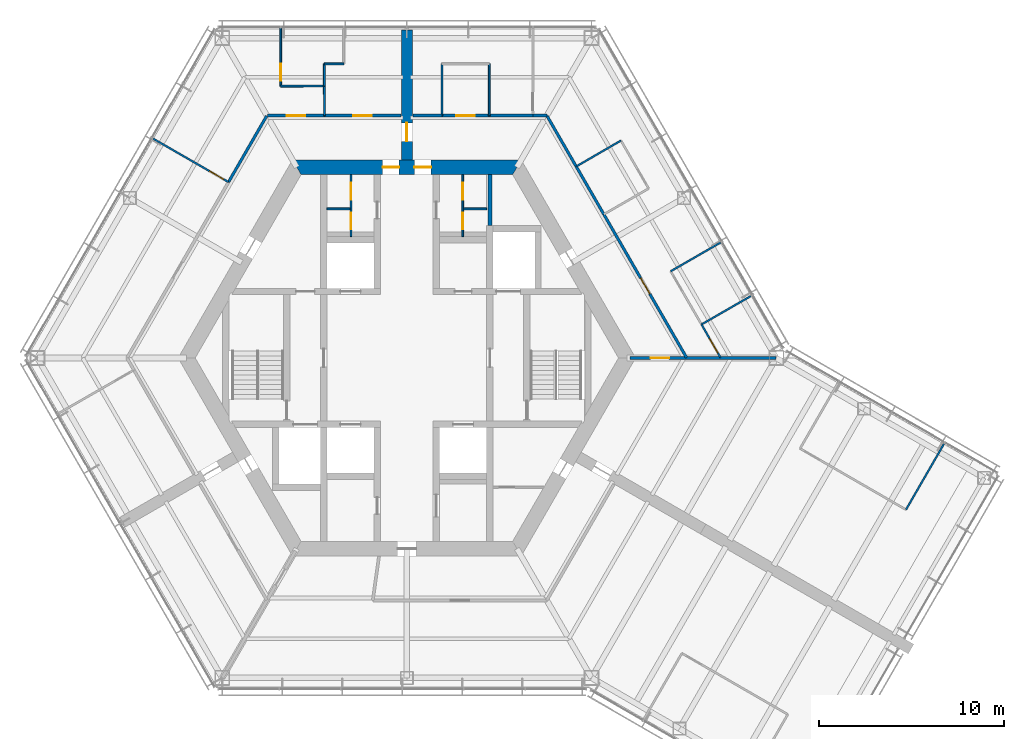
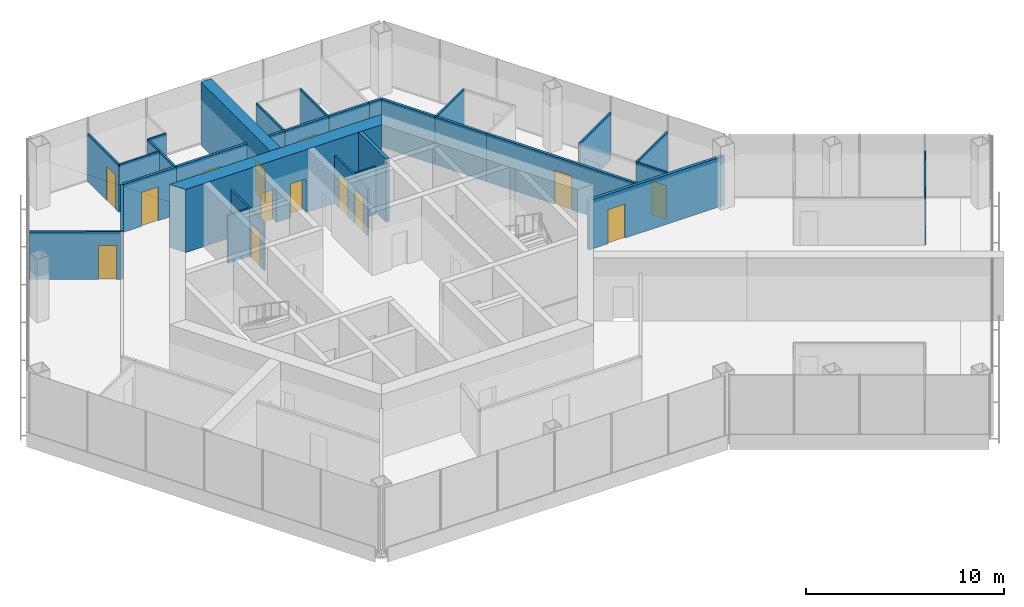
# One storey, part 12 of 15: 31 walls, 15 doors, 15 openings.
"""IFC4 building model written with IfcOpenShell, lengths in metres."""

from ifc_helpers import new_model, si_unit, direction, frame, frame_2d, origin, place, context, subcontext, project, spatial, polyline, rectangle, outline, extrude, material, layer, layer_set, type_object, element, fill, save


model = new_model("IFC4")

# Units and contexts
model_context = context("Model", 3, precision=1e-05, world=origin(), true_north=direction((0.0, 1.0)))
body_context = subcontext(model_context, "Body", "Model", "MODEL_VIEW")
ifc_project = project(units=[si_unit("LENGTHUNIT", "METRE"), si_unit("AREAUNIT", "SQUARE_METRE"), si_unit("VOLUMEUNIT", "CUBIC_METRE"), si_unit("PLANEANGLEUNIT", "RADIAN"), si_unit("MASSUNIT", "GRAM", prefix="KILO")], contexts=[model_context])

# Site, building, storey
site_placement = place(None, origin())
site = spatial("IfcSite", under=ifc_project, at=site_placement, CompositionType="ELEMENT")
building_placement = place(site_placement, origin())
building = spatial("IfcBuilding", under=site, at=building_placement, Name="Kasaneha Research Tower", CompositionType="ELEMENT")
storey_placement = place(building_placement, frame((0.0, 0.0, 220.60009765625)))
storey = spatial("IfcBuildingStorey", under=building, at=storey_placement, Name="L55", CompositionType="ELEMENT", Elevation=220.60009765625)

# Wall, openings, doors
ifc_material_1 = material(Name="Concrete Fc60", Category="concrete")
ifc_layer_1 = layer(ifc_material_1, 0.800048828125)
ifc_layer_set_1 = layer_set([ifc_layer_1], Name="Core wall 800 Fc60")
wall_type_1 = type_object("IfcWallType", Name="Core wall 800 Fc60", PredefinedType="SHEAR", material=ifc_layer_set_1)
wall_1_placement = place(storey_placement, frame((5.961181640625, 10.324951171875, 0.0), z_axis=(0.0, 0.0, 1.0), x_axis=(-1.0, 0.0, 0.0)))
wall_1 = element("IfcWall", 1, at=wall_1_placement, inside=storey, type_object=wall_type_1, Name="Core wall 090 L55", PredefinedType="SHEAR", context=body_context, shape_type="SweptSolid", body=[
    extrude(outline(polyline([(-0.23095703125, -0.39990234375), (4.648681640625, -0.39990234375), (5.548583984375, -0.39990234375), (6.37353515625, -0.39990234375), (7.2734375, -0.39990234375), (12.1533203125, -0.39990234375), (11.69140625, 0.39990234375), (7.2734375, 0.39990234375), (6.37353515625, 0.39990234375), (5.548583984375, 0.39990234375), (4.648681640625, 0.39990234375), (0.23095703125, 0.39990234375), (-0.23095703125, -0.39990234375)])), origin(), (0.0, 0.0, 1.0), 3.89990234375),
])
opening_1_placement = place(wall_1_placement, frame((6.37353515625, 0.0, 0.0)))
opening_1 = element("IfcOpeningElement", 2, at=opening_1_placement, cuts=wall_1, Name="Opening L55-D01", PredefinedType="OPENING", context=body_context, shape_type="SweptSolid", body=[
    extrude(rectangle(XDim=0.89990234375, YDim=2.10009765625, at=frame_2d((0.449951171875, 1.050048828125))), frame((0.0, 0.41015625, 0.0), z_axis=(0.0, -1.0, 0.0), x_axis=(1.0, 0.0, 0.0)), (0.0, 0.0, 1.0), 0.820068359375),
])
opening_2_placement = place(wall_1_placement, frame((4.648681640625, 0.0, 0.0)))
opening_2 = element("IfcOpeningElement", 3, at=opening_2_placement, cuts=wall_1, Name="Opening L55-D02", PredefinedType="OPENING", context=body_context, shape_type="SweptSolid", body=[
    extrude(rectangle(XDim=0.89990234375, YDim=2.10009765625, at=frame_2d((0.449951171875, 1.050048828125))), frame((0.0, 0.41015625, 0.0), z_axis=(0.0, -1.0, 0.0), x_axis=(1.0, 0.0, 0.0)), (0.0, 0.0, 1.0), 0.820068359375),
])
ifc_material_2 = material(Name="Steel", Category="steel")
door_type_1 = type_object("IfcDoorType", Name="Toilet door FD20 900x2100", OperationType="NOTDEFINED", PredefinedType="DOOR", material=ifc_material_2)
door_1_placement = place(opening_1_placement, origin())
door_1 = element("IfcDoor", 4, at=door_1_placement, inside=storey, type_object=door_type_1, Name="Core door north 1 L55-D01", OperationType="SINGLE_SWING_RIGHT", OverallHeight=2.10009765625, OverallWidth=0.89990234375, PredefinedType="DOOR", context=body_context, shape_type="SweptSolid", body=[
    extrude(rectangle(XDim=0.89990234375, YDim=2.10009765625, at=frame_2d((0.449951171875, 1.050048828125))), frame((0.0, 0.02490234375, 0.0), z_axis=(0.0, -1.0, 0.0), x_axis=(1.0, 0.0, 0.0)), (0.0, 0.0, 1.0), 0.050048828125),
])
fill(opening_1, door_1)
door_2_placement = place(opening_2_placement, origin())
door_2 = element("IfcDoor", 5, at=door_2_placement, inside=storey, type_object=door_type_1, Name="Core door north 2 L55-D02", OperationType="SINGLE_SWING_LEFT", OverallHeight=2.10009765625, OverallWidth=0.89990234375, PredefinedType="DOOR", context=body_context, shape_type="SweptSolid", body=[
    extrude(rectangle(XDim=0.89990234375, YDim=2.10009765625, at=frame_2d((0.449951171875, 1.050048828125))), frame((0.0, 0.02490234375, 0.0), z_axis=(0.0, -1.0, 0.0), x_axis=(1.0, 0.0, 0.0)), (0.0, 0.0, 1.0), 0.050048828125),
])
fill(opening_2, door_2)

ifc_material_3 = material(Name="Gypsum board on steel studs, one layer each side", Category="steel")
ifc_layer_2 = layer(ifc_material_3, 0.10009765625)
ifc_layer_set_2 = layer_set([ifc_layer_2], Name="Office partition 100")
wall_type_2 = type_object("IfcWallType", Name="Office partition 100", PredefinedType="PARTITIONING", material=ifc_layer_set_2)
wall_2_placement = place(storey_placement, frame((-3.02490234375, 6.574951171875, 0.0), z_axis=(0.0, 0.0, 1.0), x_axis=(0.0, 1.0, 0.0)))
wall_2 = element("IfcWall", 6, at=wall_2_placement, inside=storey, type_object=wall_type_2, Name="Office partition TBM1 L55", PredefinedType="PARTITIONING", context=body_context, shape_type="SweptSolid", body=[
    extrude(rectangle(XDim=3.35009765625, YDim=0.10009765625, at=frame_2d((1.675048828125, 0.0))), origin(), (0.0, 0.0, 1.0), 2.949951171875),
])
opening_3_placement = place(wall_2_placement, frame((2.0, 0.0, 0.0)))
opening_3 = element("IfcOpeningElement", 7, at=opening_3_placement, cuts=wall_2, Name="Opening L55-D21", PredefinedType="OPENING", context=body_context, shape_type="SweptSolid", body=[
    extrude(rectangle(XDim=0.89990234375, YDim=2.10009765625, at=frame_2d((0.449951171875, 1.050048828125))), frame((0.0, 0.06005859375, 0.0), z_axis=(0.0, -1.0, 0.0), x_axis=(1.0, 0.0, 0.0)), (0.0, 0.0, 1.0), 0.1201171875),
])
opening_4_placement = place(wall_2_placement, frame((0.39990234375, 0.0, 0.0)))
opening_4 = element("IfcOpeningElement", 8, at=opening_4_placement, cuts=wall_2, Name="Opening L55-D22", PredefinedType="OPENING", context=body_context, shape_type="SweptSolid", body=[
    extrude(rectangle(XDim=0.89990234375, YDim=2.10009765625, at=frame_2d((0.449951171875, 1.050048828125))), frame((0.0, 0.06005859375, 0.0), z_axis=(0.0, -1.0, 0.0), x_axis=(1.0, 0.0, 0.0)), (0.0, 0.0, 1.0), 0.1201171875),
])
ifc_material_4 = material(Name="Steel", Category="steel")
door_type_2 = type_object("IfcDoorType", Name="Toilet lobby door FD30 900x2100", OperationType="NOTDEFINED", PredefinedType="DOOR", material=ifc_material_4)
door_3_placement = place(opening_3_placement, origin())
door_3 = element("IfcDoor", 9, at=door_3_placement, inside=storey, type_object=door_type_2, Name="Men's WC door L55-D21", OperationType="SINGLE_SWING_RIGHT", OverallHeight=2.10009765625, OverallWidth=0.89990234375, PredefinedType="DOOR", context=body_context, shape_type="SweptSolid", body=[
    extrude(rectangle(XDim=0.89990234375, YDim=2.10009765625, at=frame_2d((0.449951171875, 1.050048828125))), frame((0.0, 0.02490234375, 0.0), z_axis=(0.0, -1.0, 0.0), x_axis=(1.0, 0.0, 0.0)), (0.0, 0.0, 1.0), 0.050048828125),
])
fill(opening_3, door_3)
door_4_placement = place(opening_4_placement, origin())
door_4 = element("IfcDoor", 10, at=door_4_placement, inside=storey, type_object=door_type_2, Name="Cleaner's store door L55-D22", OperationType="SINGLE_SWING_RIGHT", OverallHeight=2.10009765625, OverallWidth=0.89990234375, PredefinedType="DOOR", context=body_context, shape_type="SweptSolid", body=[
    extrude(rectangle(XDim=0.89990234375, YDim=2.10009765625, at=frame_2d((0.449951171875, 1.050048828125))), frame((0.0, 0.02490234375, 0.0), z_axis=(0.0, -1.0, 0.0), x_axis=(1.0, 0.0, 0.0)), (0.0, 0.0, 1.0), 0.050048828125),
])
fill(opening_4, door_4)

# Wall
wall_3_placement = place(storey_placement, frame((-3.074951171875, 8.074951171875, 0.0), z_axis=(0.0, 0.0, 1.0), x_axis=(-1.0, 0.0, 0.0)))
element("IfcWall", 11, at=wall_3_placement, inside=storey, type_object=wall_type_2, Name="Office partition TBM2 L55", PredefinedType="PARTITIONING", context=body_context, shape_type="SweptSolid", body=[
    extrude(rectangle(XDim=1.25, YDim=0.10009765625, at=frame_2d((0.625, 0.0))), origin(), (0.0, 0.0, 1.0), 2.949951171875),
])

# Wall, openings, doors
wall_4_placement = place(storey_placement, frame((3.02490234375, 6.574951171875, 0.0), z_axis=(0.0, 0.0, 1.0), x_axis=(0.0, 1.0, 0.0)))
wall_4 = element("IfcWall", 12, at=wall_4_placement, inside=storey, type_object=wall_type_2, Name="Office partition TBF1 L55", PredefinedType="PARTITIONING", context=body_context, shape_type="SweptSolid", body=[
    extrude(rectangle(XDim=3.35009765625, YDim=0.10009765625, at=frame_2d((1.675048828125, 0.0))), origin(), (0.0, 0.0, 1.0), 2.949951171875),
])
opening_5_placement = place(wall_4_placement, frame((2.0, 0.0, 0.0)))
opening_5 = element("IfcOpeningElement", 13, at=opening_5_placement, cuts=wall_4, Name="Opening L55-D23", PredefinedType="OPENING", context=body_context, shape_type="SweptSolid", body=[
    extrude(rectangle(XDim=0.89990234375, YDim=2.10009765625, at=frame_2d((0.449951171875, 1.050048828125))), frame((0.0, 0.06005859375, 0.0), z_axis=(0.0, -1.0, 0.0), x_axis=(1.0, 0.0, 0.0)), (0.0, 0.0, 1.0), 0.1201171875),
])
opening_6_placement = place(wall_4_placement, frame((0.39990234375, 0.0, 0.0)))
opening_6 = element("IfcOpeningElement", 14, at=opening_6_placement, cuts=wall_4, Name="Opening L55-D24", PredefinedType="OPENING", context=body_context, shape_type="SweptSolid", body=[
    extrude(rectangle(XDim=0.89990234375, YDim=2.10009765625, at=frame_2d((0.449951171875, 1.050048828125))), frame((0.0, 0.06005859375, 0.0), z_axis=(0.0, -1.0, 0.0), x_axis=(1.0, 0.0, 0.0)), (0.0, 0.0, 1.0), 0.1201171875),
])
door_5_placement = place(opening_5_placement, origin())
door_5 = element("IfcDoor", 15, at=door_5_placement, inside=storey, type_object=door_type_2, Name="Women's WC door L55-D23", OperationType="SINGLE_SWING_RIGHT", OverallHeight=2.10009765625, OverallWidth=0.89990234375, PredefinedType="DOOR", context=body_context, shape_type="SweptSolid", body=[
    extrude(rectangle(XDim=0.89990234375, YDim=2.10009765625, at=frame_2d((0.449951171875, 1.050048828125))), frame((0.0, 0.02490234375, 0.0), z_axis=(0.0, -1.0, 0.0), x_axis=(1.0, 0.0, 0.0)), (0.0, 0.0, 1.0), 0.050048828125),
])
fill(opening_5, door_5)
door_6_placement = place(opening_6_placement, origin())
door_6 = element("IfcDoor", 16, at=door_6_placement, inside=storey, type_object=door_type_2, Name="Parents' room door L55-D24", OperationType="SINGLE_SWING_RIGHT", OverallHeight=2.10009765625, OverallWidth=0.89990234375, PredefinedType="DOOR", context=body_context, shape_type="SweptSolid", body=[
    extrude(rectangle(XDim=0.89990234375, YDim=2.10009765625, at=frame_2d((0.449951171875, 1.050048828125))), frame((0.0, 0.02490234375, 0.0), z_axis=(0.0, -1.0, 0.0), x_axis=(1.0, 0.0, 0.0)), (0.0, 0.0, 1.0), 0.050048828125),
])
fill(opening_6, door_6)

# Walls
wall_5_placement = place(storey_placement, frame((3.074951171875, 8.074951171875, 0.0), z_axis=(0.0, 0.0, 1.0), x_axis=(1.0, 0.0, 0.0)))
element("IfcWall", 17, at=wall_5_placement, inside=storey, type_object=wall_type_2, Name="Office partition TBF2 L55", PredefinedType="PARTITIONING", context=body_context, shape_type="SweptSolid", body=[
    extrude(rectangle(XDim=1.25, YDim=0.10009765625, at=frame_2d((0.625, 0.0))), origin(), (0.0, 0.0, 1.0), 2.949951171875),
])
for number, where, z_axis, x_axis, name in (
    (18, (1.905029296875, 13.125, 0.0), (0.0, 0.0, 1.0), (-0.001831019688, 0.999998323682, 0.0), "Office partition FAE09 L55"),
    (19, (4.465087890625, 15.925048828125, 0.0), (0.0, 0.0, 1.0), (-0.001831019688, -0.999998323682, 0.0), "Office partition FAE10 L55"),
    (20, (9.168701171875, 10.369140625, 0.0), (0.0, 0.0, 1.0), (0.865255114713, 0.501331812737, 0.0), "Office partition FAE11 L55"),
):
    element("IfcWall", number, at=place(storey_placement, frame(where, z_axis=z_axis, x_axis=x_axis)), inside=storey, type_object=wall_type_2, Name=name, PredefinedType="PARTITIONING", context=body_context, shape_type="SweptSolid", body=[
        extrude(rectangle(XDim=2.800048828125, YDim=0.10009765625, at=frame_2d((1.39990234375, 0.0))), origin(), (0.0, 0.0, 1.0), 2.949951171875),
    ])
wall_6_placement = place(storey_placement, frame((18.619873046875, 3.3505859375, 0.0), z_axis=(0.0, 0.0, 1.0), x_axis=(-0.866810383216, -0.498637904244, 0.0)))
element("IfcWall", 21, at=wall_6_placement, inside=storey, type_object=wall_type_2, Name="Office partition FAE15 L55", PredefinedType="PARTITIONING", context=body_context, shape_type="SweptSolid", body=[
    extrude(rectangle(XDim=3.080078125, YDim=0.10009765625, at=frame_2d((1.5400390625, 0.0))), origin(), (0.0, 0.0, 1.0), 2.949951171875),
])
wall_7_placement = place(storey_placement, frame((14.287109375, 4.6953125, 0.0), z_axis=(0.0, 0.0, 1.0), x_axis=(0.866036558865, 0.499980678337, 0.0)))
element("IfcWall", 22, at=wall_7_placement, inside=storey, type_object=wall_type_2, Name="Office partition FAE16 L55", PredefinedType="PARTITIONING", context=body_context, shape_type="SweptSolid", body=[
    extrude(rectangle(XDim=3.10986328125, YDim=0.10009765625, at=frame_2d((1.554931640625, 0.0))), origin(), (0.0, 0.0, 1.0), 2.949951171875),
])

# Wall, opening, door
wall_8_placement = place(storey_placement, frame((16.986083984375, 0.02001953125, 0.0), z_axis=(0.0, 0.0, 1.0), x_axis=(-0.498096123952, 0.867121820337, 0.0)))
wall_8 = element("IfcWall", 23, at=wall_8_placement, inside=storey, type_object=wall_type_2, Name="Office partition FAE18 L55", PredefinedType="PARTITIONING", context=body_context, shape_type="SweptSolid", body=[
    extrude(rectangle(XDim=2.0673828125, YDim=0.10009765625, at=frame_2d((1.03369140625, 0.0))), origin(), (0.0, 0.0, 1.0), 2.949951171875),
])
opening_7_placement = place(wall_8_placement, frame((0.300048828125, 0.0, 0.0)))
opening_7 = element("IfcOpeningElement", 24, at=opening_7_placement, cuts=wall_8, Name="Opening L55-D33", PredefinedType="OPENING", context=body_context, shape_type="SweptSolid", body=[
    extrude(rectangle(XDim=0.89990234375, YDim=2.10009765625, at=frame_2d((0.449951171875, 1.050048828125))), frame((0.0, 0.06005859375, 0.0), z_axis=(0.0, -1.0, 0.0), x_axis=(1.0, 0.0, 0.0)), (0.0, 0.0, 1.0), 0.1201171875),
])
ifc_material_5 = material(Name="Timber veneer", Category="wood")
door_type_3 = type_object("IfcDoorType", Name="Office door 900x2100", OperationType="SINGLE_SWING_LEFT", PredefinedType="DOOR", material=ifc_material_5)
door_7_placement = place(opening_7_placement, origin())
door_7 = element("IfcDoor", 25, at=door_7_placement, inside=storey, type_object=door_type_3, Name="Phone room door L55-D33", OperationType="SINGLE_SWING_LEFT", OverallHeight=2.10009765625, OverallWidth=0.89990234375, PredefinedType="DOOR", context=body_context, shape_type="SweptSolid", body=[
    extrude(rectangle(XDim=0.89990234375, YDim=2.10009765625, at=frame_2d((0.449951171875, 1.050048828125))), frame((0.0, 0.02490234375, 0.0), z_axis=(0.0, -1.0, 0.0), x_axis=(1.0, 0.0, 0.0)), (0.0, 0.0, 1.0), 0.050048828125),
])
fill(opening_7, door_7)

# Walls
wall_9_placement = place(storey_placement, frame((-4.465087890625, 14.715576171875, 0.0), z_axis=(0.0, 0.0, 1.0), x_axis=(0.0, 1.0, 0.0)))
element("IfcWall", 26, at=wall_9_placement, inside=storey, type_object=wall_type_2, Name="Office partition FAW03 L55", PredefinedType="PARTITIONING", context=body_context, shape_type="SweptSolid", body=[
    extrude(rectangle(XDim=1.20947265625, YDim=0.10009765625, at=frame_2d((0.604736328125, 0.0))), origin(), (0.0, 0.0, 1.0), 2.949951171875),
])
wall_10_placement = place(storey_placement, frame((-4.465087890625, 15.925048828125, 0.0), z_axis=(0.0, 0.0, 1.0), x_axis=(1.0, 0.0, 0.0)))
element("IfcWall", 27, at=wall_10_placement, inside=storey, type_object=wall_type_2, Name="Office partition FAW04 L55", PredefinedType="PARTITIONING", context=body_context, shape_type="SweptSolid", body=[
    extrude(rectangle(XDim=1.050048828125, YDim=0.10009765625, at=frame_2d((0.52490234375, 0.0))), origin(), (0.0, 0.0, 1.0), 2.949951171875),
])
wall_11_placement = place(storey_placement, frame((-4.46044921875, 13.125, 0.0), z_axis=(0.0, 0.0, 1.0), x_axis=(-0.0028989808, 0.999995797946, 0.0)))
element("IfcWall", 28, at=wall_11_placement, inside=storey, type_object=wall_type_2, Name="Office partition FAW06 L55", PredefinedType="PARTITIONING", context=body_context, shape_type="SweptSolid", body=[
    extrude(rectangle(XDim=1.60009765625, YDim=0.10009765625, at=frame_2d((0.800048828125, 0.0))), origin(), (0.0, 0.0, 1.0), 2.949951171875),
])

# Wall, opening, door
wall_12_placement = place(storey_placement, frame((-6.830810546875, 14.720458984375, 0.0), z_axis=(0.0, 0.0, 1.0), x_axis=(0.0, 1.0, 0.0)))
wall_12 = element("IfcWall", 29, at=wall_12_placement, inside=storey, type_object=wall_type_2, Name="Office partition FAW07 L55", PredefinedType="PARTITIONING", context=body_context, shape_type="SweptSolid", body=[
    extrude(rectangle(XDim=3.135009765625, YDim=0.10009765625, at=frame_2d((1.5673828125, 0.0))), origin(), (0.0, 0.0, 1.0), 2.949951171875),
])
opening_8_placement = place(wall_12_placement, frame((0.300048828125, 0.0, 0.0)))
opening_8 = element("IfcOpeningElement", 30, at=opening_8_placement, cuts=wall_12, Name="Opening L55-D36", PredefinedType="OPENING", context=body_context, shape_type="SweptSolid", body=[
    extrude(rectangle(XDim=0.89990234375, YDim=2.10009765625, at=frame_2d((0.449951171875, 1.050048828125))), frame((0.0, 0.06005859375, 0.0), z_axis=(0.0, -1.0, 0.0), x_axis=(1.0, 0.0, 0.0)), (0.0, 0.0, 1.0), 0.1201171875),
])
door_8_placement = place(opening_8_placement, origin())
door_8 = element("IfcDoor", 31, at=door_8_placement, inside=storey, type_object=door_type_3, Name="Project room door L55-D36", OperationType="SINGLE_SWING_LEFT", OverallHeight=2.10009765625, OverallWidth=0.89990234375, PredefinedType="DOOR", context=body_context, shape_type="SweptSolid", body=[
    extrude(rectangle(XDim=0.89990234375, YDim=2.10009765625, at=frame_2d((0.449951171875, 1.050048828125))), frame((0.0, 0.02490234375, 0.0), z_axis=(0.0, -1.0, 0.0), x_axis=(1.0, 0.0, 0.0)), (0.0, 0.0, 1.0), 0.050048828125),
])
fill(opening_8, door_8)

# Wall
wall_13_placement = place(storey_placement, frame((-4.465087890625, 14.72509765625, 0.0), z_axis=(0.0, 0.0, 1.0), x_axis=(-0.999998077668, -0.001960780544, 0.0)))
element("IfcWall", 32, at=wall_13_placement, inside=storey, type_object=wall_type_2, Name="Office partition FAW08 L55", PredefinedType="PARTITIONING", context=body_context, shape_type="SweptSolid", body=[
    extrude(rectangle(XDim=2.36572265625, YDim=0.10009765625, at=frame_2d((1.182861328125, 0.0))), origin(), (0.0, 0.0, 1.0), 2.949951171875),
])

# Wall, opening, door
wall_14_placement = place(storey_placement, frame((-9.656494140625, 9.5244140625, 0.0), z_axis=(0.0, 0.0, 1.0), x_axis=(-0.866526579402, 0.499130931911, 0.0)))
wall_14 = element("IfcWall", 33, at=wall_14_placement, inside=storey, type_object=wall_type_2, Name="Office partition FBN05 L55", PredefinedType="PARTITIONING", context=body_context, shape_type="SweptSolid", body=[
    extrude(rectangle(XDim=4.705322265625, YDim=0.10009765625, at=frame_2d((2.3525390625, 0.0))), origin(), (0.0, 0.0, 1.0), 2.949951171875),
])
opening_9_placement = place(wall_14_placement, frame((0.300048828125, 0.0, 0.0)))
opening_9 = element("IfcOpeningElement", 34, at=opening_9_placement, cuts=wall_14, Name="Opening L55-D38", PredefinedType="OPENING", context=body_context, shape_type="SweptSolid", body=[
    extrude(rectangle(XDim=0.89990234375, YDim=2.10009765625, at=frame_2d((0.449951171875, 1.050048828125))), frame((0.0, 0.06005859375, 0.0), z_axis=(0.0, -1.0, 0.0), x_axis=(1.0, 0.0, 0.0)), (0.0, 0.0, 1.0), 0.1201171875),
])
door_9_placement = place(opening_9_placement, origin())
door_9 = element("IfcDoor", 35, at=door_9_placement, inside=storey, type_object=door_type_3, Name="Manager's office door L55-D38", OperationType="SINGLE_SWING_LEFT", OverallHeight=2.10009765625, OverallWidth=0.89990234375, PredefinedType="DOOR", context=body_context, shape_type="SweptSolid", body=[
    extrude(rectangle(XDim=0.89990234375, YDim=2.10009765625, at=frame_2d((0.449951171875, 1.050048828125))), frame((0.0, 0.02490234375, 0.0), z_axis=(0.0, -1.0, 0.0), x_axis=(1.0, 0.0, 0.0)), (0.0, 0.0, 1.0), 0.050048828125),
])
fill(opening_9, door_9)

# Walls
wall_15_placement = place(storey_placement, frame((29.080078125, -4.6533203125, 0.0), z_axis=(0.0, 0.0, 1.0), x_axis=(-0.500010383074, -0.866019409031, 0.0)))
element("IfcWall", 36, at=wall_15_placement, inside=storey, type_object=wall_type_2, Name="Office partition FCE03 L55", PredefinedType="PARTITIONING", context=body_context, shape_type="SweptSolid", body=[
    extrude(rectangle(XDim=4.1103515625, YDim=0.10009765625, at=frame_2d((2.05517578125, 0.0))), origin(), (0.0, 0.0, 1.0), 2.949951171875),
])
ifc_material_6 = material(Name="Concrete block", Category="concrete")
ifc_layer_3 = layer(ifc_material_6, 0.199951171875)
ifc_layer_set_3 = layer_set([ifc_layer_3], Name="Riser enclosure wall 200")
wall_type_3 = type_object("IfcWallType", Name="Riser enclosure wall 200", PredefinedType="STANDARD", material=ifc_layer_set_3)
wall_16_placement = place(storey_placement, frame((4.5, 7.175048828125, 0.0), z_axis=(0.0, 0.0, 1.0), x_axis=(0.0, 1.0, 0.0)))
element("IfcWall", 37, at=wall_16_placement, inside=storey, type_object=wall_type_3, Name="Riser enclosure wall L55", PredefinedType="STANDARD", context=body_context, shape_type="SweptSolid", body=[
    extrude(rectangle(XDim=2.75, YDim=0.199951171875, at=frame_2d((1.375, 0.0))), origin(), (0.0, 0.0, 1.0), 3.89990234375),
])

# Wall, opening, door
ifc_material_7 = material(Name="Concrete Fc60", Category="concrete")
ifc_layer_4 = layer(ifc_material_7, 0.60009765625)
ifc_layer_set_4 = layer_set([ifc_layer_4], Name="Spine wall 600 Fc60")
wall_type_4 = type_object("IfcWallType", Name="Spine wall 600 Fc60", PredefinedType="SHEAR", material=ifc_layer_set_4)
wall_17_placement = place(storey_placement, frame((0.0, 10.72509765625, 0.0), z_axis=(0.0, 0.0, 1.0), x_axis=(0.0, 1.0, 0.0)))
wall_17 = element("IfcWall", 38, at=wall_17_placement, inside=storey, type_object=wall_type_4, Name="Spine wall A L55", PredefinedType="SHEAR", context=body_context, shape_type="SweptSolid", body=[
    extrude(rectangle(XDim=7.04541015625, YDim=0.60009765625, at=frame_2d((3.522705078125, 0.0))), origin(), (0.0, 0.0, 1.0), 3.89990234375),
])
opening_10_placement = place(wall_17_placement, frame((1.0, 0.0, 0.0)))
opening_10 = element("IfcOpeningElement", 39, at=opening_10_placement, cuts=wall_17, Name="Opening L55-D18", PredefinedType="OPENING", context=body_context, shape_type="SweptSolid", body=[
    extrude(rectangle(XDim=1.0, YDim=2.10009765625, at=frame_2d((0.5, 1.050048828125))), frame((0.0, 0.31005859375, 0.0), z_axis=(0.0, -1.0, 0.0), x_axis=(1.0, 0.0, 0.0)), (0.0, 0.0, 1.0), 0.6201171875),
])
ifc_material_8 = material(Name="Steel", Category="steel")
door_type_4 = type_object("IfcDoorType", Name="Specified fire door FD60 1000x2100", OperationType="NOTDEFINED", PredefinedType="DOOR", material=ifc_material_8)
door_10_placement = place(opening_10_placement, origin())
door_10 = element("IfcDoor", 40, at=door_10_placement, inside=storey, type_object=door_type_4, Name="Spine doorway A L55-D18", OperationType="SINGLE_SWING_LEFT", OverallHeight=2.10009765625, OverallWidth=1.0, PredefinedType="DOOR", context=body_context, shape_type="SweptSolid", body=[
    extrude(rectangle(XDim=1.0, YDim=2.10009765625, at=frame_2d((0.5, 1.050048828125))), frame((0.0, 0.02490234375, 0.0), z_axis=(0.0, -1.0, 0.0), x_axis=(1.0, 0.0, 0.0)), (0.0, 0.0, 1.0), 0.050048828125),
])
fill(opening_10, door_10)

ifc_material_9 = material(Name="Gypsum board on steel studs, two layers each side", Category="steel")
ifc_layer_5 = layer(ifc_material_9, 0.14990234375)
ifc_layer_set_5 = layer_set([ifc_layer_5], Name="Suite partition 150")
wall_type_5 = type_object("IfcWallType", Name="Suite partition 150", PredefinedType="PARTITIONING", material=ifc_layer_set_5)
wall_18_placement = place(storey_placement, frame((1.89501953125, 13.125, 0.0), z_axis=(0.0, 0.0, 1.0), x_axis=(1.0, 0.0, 0.0)))
wall_18 = element("IfcWall", 41, at=wall_18_placement, inside=storey, type_object=wall_type_5, Name="Suite partition FAE01 L55", PredefinedType="PARTITIONING", context=body_context, shape_type="SweptSolid", body=[
    extrude(rectangle(XDim=2.574951171875, YDim=0.14990234375, at=frame_2d((1.28759765625, 0.0))), origin(), (0.0, 0.0, 1.0), 2.949951171875),
])
opening_11_placement = place(wall_18_placement, frame((0.78759765625, 0.0, 0.0)))
opening_11 = element("IfcOpeningElement", 42, at=opening_11_placement, cuts=wall_18, Name="Opening L55-D28", PredefinedType="OPENING", context=body_context, shape_type="SweptSolid", body=[
    extrude(rectangle(XDim=1.0, YDim=2.10009765625, at=frame_2d((0.5, 1.050048828125))), frame((0.0, 0.0849609375, 0.0), z_axis=(0.0, -1.0, 0.0), x_axis=(1.0, 0.0, 0.0)), (0.0, 0.0, 1.0), 0.169921875),
])
ifc_material_10 = material(Name="Steel", Category="steel")
door_type_5 = type_object("IfcDoorType", Name="Suite entrance door FD60 1000x2100", OperationType="NOTDEFINED", PredefinedType="DOOR", material=ifc_material_10)
door_11_placement = place(opening_11_placement, origin())
door_11 = element("IfcDoor", 43, at=door_11_placement, inside=storey, type_object=door_type_5, Name="Suite entrance door L55-D28", OperationType="SINGLE_SWING_RIGHT", OverallHeight=2.10009765625, OverallWidth=1.0, PredefinedType="DOOR", context=body_context, shape_type="SweptSolid", body=[
    extrude(rectangle(XDim=1.0, YDim=2.10009765625, at=frame_2d((0.5, 1.050048828125))), frame((0.0, 0.02490234375, 0.0), z_axis=(0.0, -1.0, 0.0), x_axis=(1.0, 0.0, 0.0)), (0.0, 0.0, 1.0), 0.050048828125),
])
fill(opening_11, door_11)

# Walls
wall_19_placement = place(storey_placement, frame((9.1640625, 10.377197265625, 0.0), z_axis=(0.0, 0.0, 1.0), x_axis=(0.500038395149, -0.8660032352, 0.0)))
element("IfcWall", 44, at=wall_19_placement, inside=storey, type_object=wall_type_5, Name="Suite partition FAE02 L55", PredefinedType="PARTITIONING", context=body_context, shape_type="SweptSolid", body=[
    extrude(rectangle(XDim=3.010009765625, YDim=0.14990234375, at=frame_2d((1.5048828125, 0.0))), origin(), (0.0, 0.0, 1.0), 2.949951171875),
])
wall_20_placement = place(storey_placement, frame((0.320068359375, 13.125, 0.0), z_axis=(0.0, 0.0, 1.0), x_axis=(1.0, 0.0, 0.0)))
element("IfcWall", 45, at=wall_20_placement, inside=storey, type_object=wall_type_5, Name="Suite partition FAE03 L55", PredefinedType="PARTITIONING", context=body_context, shape_type="SweptSolid", body=[
    extrude(rectangle(XDim=1.5849609375, YDim=0.14990234375, at=frame_2d((0.79248046875, 0.0))), origin(), (0.0, 0.0, 1.0), 2.949951171875),
])
wall_21_placement = place(storey_placement, frame((4.4599609375, 13.125, 0.0), z_axis=(0.0, 0.0, 1.0), x_axis=(1.0, 0.0, 0.0)))
element("IfcWall", 46, at=wall_21_placement, inside=storey, type_object=wall_type_5, Name="Suite partition FAE04 L55", PredefinedType="PARTITIONING", context=body_context, shape_type="SweptSolid", body=[
    extrude(rectangle(XDim=2.3759765625, YDim=0.14990234375, at=frame_2d((1.18798828125, 0.0))), origin(), (0.0, 0.0, 1.0), 2.949951171875),
])
wall_22_placement = place(storey_placement, frame((6.826416015625, 13.125, 0.0), z_axis=(0.0, 0.0, 1.0), x_axis=(1.0, 0.0, 0.0)))
element("IfcWall", 47, at=wall_22_placement, inside=storey, type_object=wall_type_5, Name="Suite partition FAE05 L55", PredefinedType="PARTITIONING", context=body_context, shape_type="SweptSolid", body=[
    extrude(rectangle(XDim=0.751220703125, YDim=0.14990234375, at=frame_2d((0.37548828125, 0.0))), origin(), (0.0, 0.0, 1.0), 2.949951171875),
])
wall_23_placement = place(storey_placement, frame((7.57763671875, 13.125, 0.0), z_axis=(0.0, 0.0, 1.0), x_axis=(0.499992528944, -0.866029717158, 0.0)))
element("IfcWall", 48, at=wall_23_placement, inside=storey, type_object=wall_type_5, Name="Suite partition FAE06 L55", PredefinedType="PARTITIONING", context=body_context, shape_type="SweptSolid", body=[
    extrude(rectangle(XDim=3.18212890625, YDim=0.14990234375, at=frame_2d((1.591064453125, 0.0))), origin(), (0.0, 0.0, 1.0), 2.949951171875),
])

# Wall, opening, door
wall_24_placement = place(storey_placement, frame((10.664306640625, 7.77880859375, 0.0), z_axis=(0.0, 0.0, 1.0), x_axis=(0.49999608499, -0.866027664105, 0.0)))
wall_24 = element("IfcWall", 49, at=wall_24_placement, inside=storey, type_object=wall_type_5, Name="Suite partition FAE07 L55", PredefinedType="PARTITIONING", context=body_context, shape_type="SweptSolid", body=[
    extrude(rectangle(XDim=8.958984375, YDim=0.14990234375, at=frame_2d((4.4794921875, 0.0))), origin(), (0.0, 0.0, 1.0), 2.949951171875),
])
opening_12_placement = place(wall_24_placement, frame((3.9794921875, 0.0, 0.0)))
opening_12 = element("IfcOpeningElement", 50, at=opening_12_placement, cuts=wall_24, Name="Opening L55-D29", PredefinedType="OPENING", context=body_context, shape_type="SweptSolid", body=[
    extrude(rectangle(XDim=1.0, YDim=2.10009765625, at=frame_2d((0.5, 1.050048828125))), frame((0.0, 0.0849609375, 0.0), z_axis=(0.0, -1.0, 0.0), x_axis=(1.0, 0.0, 0.0)), (0.0, 0.0, 1.0), 0.169921875),
])
door_12_placement = place(opening_12_placement, origin())
door_12 = element("IfcDoor", 51, at=door_12_placement, inside=storey, type_object=door_type_5, Name="Suite entrance door L55-D29", OperationType="SINGLE_SWING_RIGHT", OverallHeight=2.10009765625, OverallWidth=1.0, PredefinedType="DOOR", context=body_context, shape_type="SweptSolid", body=[
    extrude(rectangle(XDim=1.0, YDim=2.10009765625, at=frame_2d((0.5, 1.050048828125))), frame((0.0, 0.02490234375, 0.0), z_axis=(0.0, -1.0, 0.0), x_axis=(1.0, 0.0, 0.0)), (0.0, 0.0, 1.0), 0.050048828125),
])
fill(opening_12, door_12)

wall_25_placement = place(storey_placement, frame((-4.469970703125, 13.125, 0.0), z_axis=(0.0, 0.0, 1.0), x_axis=(1.0, 0.0, 0.0)))
wall_25 = element("IfcWall", 52, at=wall_25_placement, inside=storey, type_object=wall_type_5, Name="Suite partition FAW01 L55", PredefinedType="PARTITIONING", context=body_context, shape_type="SweptSolid", body=[
    extrude(rectangle(XDim=4.14990234375, YDim=0.14990234375, at=frame_2d((2.074951171875, 0.0))), origin(), (0.0, 0.0, 1.0), 2.949951171875),
])
opening_13_placement = place(wall_25_placement, frame((1.574951171875, 0.0, 0.0)))
opening_13 = element("IfcOpeningElement", 53, at=opening_13_placement, cuts=wall_25, Name="Opening L55-D34", PredefinedType="OPENING", context=body_context, shape_type="SweptSolid", body=[
    extrude(rectangle(XDim=1.0, YDim=2.10009765625, at=frame_2d((0.5, 1.050048828125))), frame((0.0, 0.0849609375, 0.0), z_axis=(0.0, -1.0, 0.0), x_axis=(1.0, 0.0, 0.0)), (0.0, 0.0, 1.0), 0.169921875),
])
door_13_placement = place(opening_13_placement, origin())
door_13 = element("IfcDoor", 54, at=door_13_placement, inside=storey, type_object=door_type_5, Name="Suite entrance door L55-D34", OperationType="SINGLE_SWING_LEFT", OverallHeight=2.10009765625, OverallWidth=1.0, PredefinedType="DOOR", context=body_context, shape_type="SweptSolid", body=[
    extrude(rectangle(XDim=1.0, YDim=2.10009765625, at=frame_2d((0.5, 1.050048828125))), frame((0.0, 0.02490234375, 0.0), z_axis=(0.0, -1.0, 0.0), x_axis=(1.0, 0.0, 0.0)), (0.0, 0.0, 1.0), 0.050048828125),
])
fill(opening_13, door_13)

wall_26_placement = place(storey_placement, frame((-7.5546875, 13.125, 0.0), z_axis=(0.0, 0.0, 1.0), x_axis=(1.0, 0.0, 0.0)))
wall_26 = element("IfcWall", 55, at=wall_26_placement, inside=storey, type_object=wall_type_5, Name="Suite partition FAW02 L55", PredefinedType="PARTITIONING", context=body_context, shape_type="SweptSolid", body=[
    extrude(rectangle(XDim=3.09423828125, YDim=0.14990234375, at=frame_2d((1.547119140625, 0.0))), origin(), (0.0, 0.0, 1.0), 2.949951171875),
])
opening_14_placement = place(wall_26_placement, frame((1.047119140625, 0.0, 0.0)))
opening_14 = element("IfcOpeningElement", 56, at=opening_14_placement, cuts=wall_26, Name="Opening L55-D35", PredefinedType="OPENING", context=body_context, shape_type="SweptSolid", body=[
    extrude(rectangle(XDim=1.0, YDim=2.10009765625, at=frame_2d((0.5, 1.050048828125))), frame((0.0, 0.0849609375, 0.0), z_axis=(0.0, -1.0, 0.0), x_axis=(1.0, 0.0, 0.0)), (0.0, 0.0, 1.0), 0.169921875),
])
door_14_placement = place(opening_14_placement, origin())
door_14 = element("IfcDoor", 57, at=door_14_placement, inside=storey, type_object=door_type_5, Name="Suite entrance door L55-D35", OperationType="SINGLE_SWING_LEFT", OverallHeight=2.10009765625, OverallWidth=1.0, PredefinedType="DOOR", context=body_context, shape_type="SweptSolid", body=[
    extrude(rectangle(XDim=1.0, YDim=2.10009765625, at=frame_2d((0.5, 1.050048828125))), frame((0.0, 0.02490234375, 0.0), z_axis=(0.0, -1.0, 0.0), x_axis=(1.0, 0.0, 0.0)), (0.0, 0.0, 1.0), 0.050048828125),
])
fill(opening_14, door_14)

# Wall
wall_27_placement = place(storey_placement, frame((-9.661376953125, 9.51611328125, 0.0), z_axis=(0.0, 0.0, 1.0), x_axis=(0.499997836828, 0.866026652689, 0.0)))
element("IfcWall", 58, at=wall_27_placement, inside=storey, type_object=wall_type_5, Name="Suite partition FBN01 L55", PredefinedType="PARTITIONING", context=body_context, shape_type="SweptSolid", body=[
    extrude(rectangle(XDim=4.14404296875, YDim=0.14990234375, at=frame_2d((2.072021484375, 0.0))), origin(), (0.0, 0.0, 1.0), 2.949951171875),
])

# Wall, opening, door
ifc_material_11 = material(Name="Gypsum board on steel studs, two layers each side", Category="steel")
ifc_layer_6 = layer(ifc_material_11, 0.175048828125)
ifc_layer_set_6 = layer_set([ifc_layer_6], Name="Tenancy fire partition 175")
wall_type_6 = type_object("IfcWallType", Name="Tenancy fire partition 175", PredefinedType="PARTITIONING", material=ifc_layer_set_6)
wall_28_placement = place(storey_placement, frame((12.069580078125, 0.0, 0.0), z_axis=(0.0, 0.0, 1.0), x_axis=(1.0, 0.0, 0.0)))
wall_28 = element("IfcWall", 59, at=wall_28_placement, inside=storey, type_object=wall_type_6, Name="Tenancy fire partition T000 L55", PredefinedType="PARTITIONING", context=body_context, shape_type="SweptSolid", body=[
    extrude(rectangle(XDim=7.930419921875, YDim=0.175048828125, at=frame_2d((3.96533203125, 0.0))), origin(), (0.0, 0.0, 1.0), 3.0498046875),
])
opening_15_placement = place(wall_28_placement, frame((1.1298828125, 0.0, 0.0)))
opening_15 = element("IfcOpeningElement", 60, at=opening_15_placement, cuts=wall_28, Name="Opening L55-D26", PredefinedType="OPENING", context=body_context, shape_type="SweptSolid", body=[
    extrude(rectangle(XDim=1.0, YDim=2.10009765625, at=frame_2d((0.5, 1.050048828125))), frame((0.0, 0.09765625, 0.0), z_axis=(0.0, -1.0, 0.0), x_axis=(1.0, 0.0, 0.0)), (0.0, 0.0, 1.0), 0.195068359375),
])
door_15_placement = place(opening_15_placement, origin())
door_15 = element("IfcDoor", 61, at=door_15_placement, inside=storey, type_object=door_type_5, Name="Connecting door L55-D26", OperationType="SINGLE_SWING_RIGHT", OverallHeight=2.10009765625, OverallWidth=1.0, PredefinedType="DOOR", context=body_context, shape_type="SweptSolid", body=[
    extrude(rectangle(XDim=1.0, YDim=2.10009765625, at=frame_2d((0.5, 1.050048828125))), frame((0.0, 0.02490234375, 0.0), z_axis=(0.0, -1.0, 0.0), x_axis=(1.0, 0.0, 0.0)), (0.0, 0.0, 1.0), 0.050048828125),
])
fill(opening_15, door_15)

save(model, "model.ifc")
